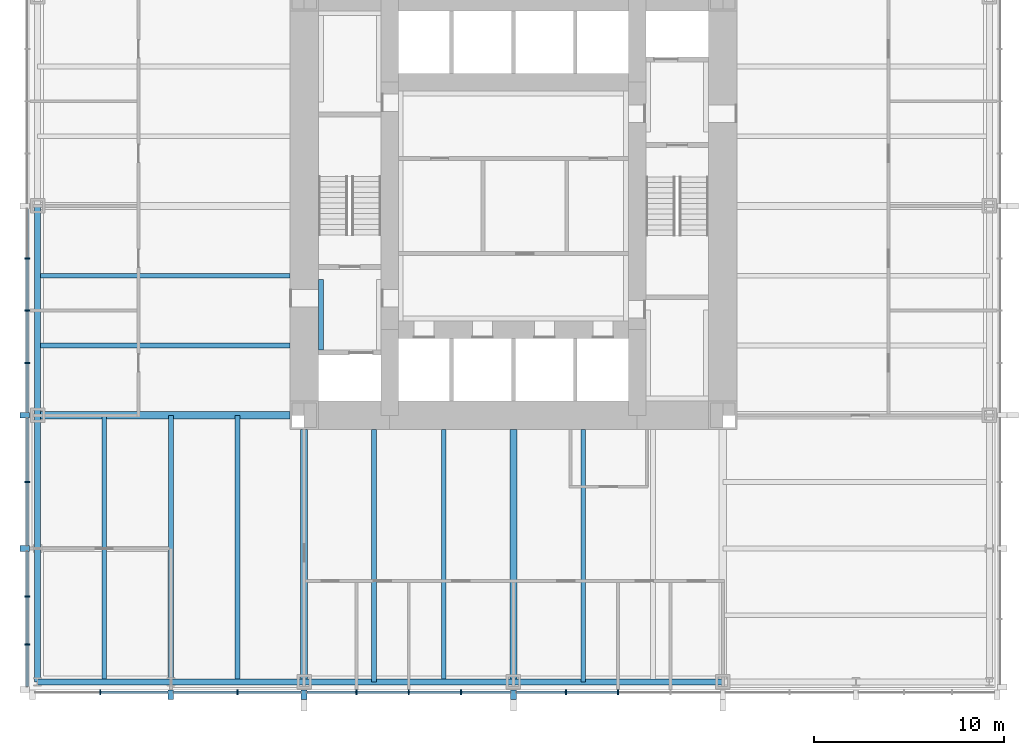
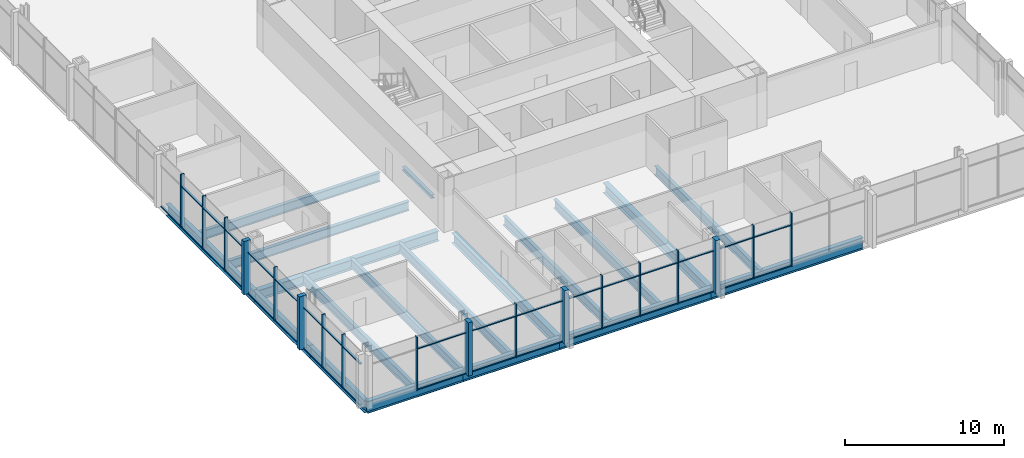
# One storey, part 2 of 12: 53 members, 19 beams, 2 elements without a shape of their own.
"""IFC4 building model written with IfcOpenShell, lengths in metres."""

from ifc_helpers import new_model, si_unit, direction, frame, origin, origin_2d, place, context, subcontext, project, spatial, rectangle, i_section, extrude, material, material_profile, profile_set, type_object, element, aggregate, save


model = new_model("IFC4")

# Units and contexts
model_context = context("Model", 3, precision=1e-05, world=origin(), true_north=direction((0.0, 1.0)))
body_context = subcontext(model_context, "Body", "Model", "MODEL_VIEW")
ifc_project = project(units=[si_unit("LENGTHUNIT", "METRE"), si_unit("AREAUNIT", "SQUARE_METRE"), si_unit("VOLUMEUNIT", "CUBIC_METRE"), si_unit("PLANEANGLEUNIT", "RADIAN"), si_unit("MASSUNIT", "GRAM", prefix="KILO")], contexts=[model_context])

# Site, building, storey
site_placement = place(None, origin())
site = spatial("IfcSite", under=ifc_project, at=site_placement, CompositionType="ELEMENT")
building_placement = place(site_placement, origin())
building = spatial("IfcBuilding", under=site, at=building_placement, Name="Trevanion Tower", CompositionType="ELEMENT")
storey_placement = place(building_placement, frame((0.0, 0.0, 73.39990234375)))
storey = spatial("IfcBuildingStorey", under=building, at=storey_placement, Name="L17", CompositionType="ELEMENT", Elevation=73.39990234375)

# Beams
ifc_material_1 = material(Name="Steel ASTM A992 Grade 50", Category="steel")
ifc_material_profile_1 = material_profile(ifc_material_1, i_section(OverallWidth=0.25390625, OverallDepth=0.700927734375, WebThickness=0.015380859375, FlangeThickness=0.02783203125, at=origin_2d()), Name="W27X129")
ifc_profile_set_1 = profile_set([ifc_material_profile_1], Name="Steel ASTM A992 Grade 50")
beam_type_1 = type_object("IfcBeamType", Name="B3 W27X129", PredefinedType="BEAM", material=ifc_profile_set_1)
for number, where, z_axis, x_axis, name in (
    (1, (-11.75, -3.666748046875, -0.540283203125), (-1.0, 0.0, 0.0), (0.0, -1.0, 0.0), "B3 L17"),
    (2, (-11.75, -7.333251953125, -0.540283203125), (-1.0, 0.0, 0.0), (0.0, -1.0, 0.0), "B3 L17"),
    (3, (-7.333251953125, -11.75, -0.540283203125), (0.0, -1.0, 0.0), (1.0, 0.0, 0.0), "B3 L17"),
    (4, (-3.666748046875, -11.75, -0.540283203125), (0.0, -1.0, 0.0), (1.0, 0.0, 0.0), "B3 L17"),
    (5, (3.666748046875, -11.75, -0.540283203125), (0.0, -1.0, 0.0), (1.0, 0.0, 0.0), "B3 L17"),
):
    element("IfcBeam", number, at=place(storey_placement, frame(where, z_axis=z_axis, x_axis=x_axis)), inside=storey, type_object=beam_type_1, Name=name, PredefinedType="BEAM", context=body_context, shape_type="SweptSolid", body=[
        extrude(i_section(OverallWidth=0.25390625, OverallDepth=0.700927734375, WebThickness=0.015380859375, FlangeThickness=0.02783203125, at=origin_2d()), origin(), (0.0, 0.0, 1.0), 13.25),
    ])
ifc_material_2 = material(Name="Steel ASTM A992 Grade 50", Category="steel")
ifc_material_profile_2 = material_profile(ifc_material_2, i_section(OverallWidth=0.256591796875, OverallDepth=0.693359375, WebThickness=0.014404296875, FlangeThickness=0.023681640625, at=origin_2d()), Name="W27X114")
ifc_profile_set_2 = profile_set([ifc_material_profile_2], Name="Steel ASTM A992 Grade 50")
beam_type_2 = type_object("IfcBeamType", Name="B4 W27X114", PredefinedType="BEAM", material=ifc_profile_set_2)
for number, where, z_axis, x_axis, name in (
    (6, (-14.5, -11.0, -0.53662109375), (0.0, -1.0, 0.0), (1.0, 0.0, 0.0), "B4 L17"),
    (7, (-18.0, -11.0, -0.53662109375), (0.0, -1.0, 0.0), (1.0, 0.0, 0.0), "B4 L17"),
    (8, (-21.5, -11.0, -0.53662109375), (0.0, -1.0, 0.0), (1.0, 0.0, 0.0), "B4 L17"),
):
    element("IfcBeam", number, at=place(storey_placement, frame(where, z_axis=z_axis, x_axis=x_axis)), inside=storey, type_object=beam_type_2, Name=name, PredefinedType="BEAM", context=body_context, shape_type="SweptSolid", body=[
        extrude(i_section(OverallWidth=0.256591796875, OverallDepth=0.693359375, WebThickness=0.014404296875, FlangeThickness=0.023681640625, at=origin_2d()), origin(), (0.0, 0.0, 1.0), 14.0),
    ])

# Curtain wall, members
ifc_material_3 = material(Name="Aluminium and glass", Category="aluminium")
curtain_wall_type = type_object("IfcCurtainWallType", Name="CW1 curtain wall", PredefinedType="USERDEFINED", material=ifc_material_3)
curtain_wall_1_placement = place(storey_placement, origin())
curtain_wall_1 = element("IfcCurtainWall", 9, at=curtain_wall_1_placement, inside=storey, type_object=curtain_wall_type, Name="CW1 L17 2", ObjectType="UNITISED CURTAIN WALL", PredefinedType="USERDEFINED")
ifc_material_4 = material(Name="Aluminium extrusion, anodised bronze", Category="aluminium")
ifc_material_profile_3 = material_profile(ifc_material_4, rectangle(XDim=0.074951171875, YDim=0.25, at=origin_2d()), Name="CW1 mullion")
ifc_profile_set_3 = profile_set([ifc_material_profile_3], Name="Aluminium extrusion, anodised bronze")
member_type_1 = type_object("IfcMemberType", Name="CW1 mullion", PredefinedType="MULLION", material=ifc_profile_set_3)
member_1_placement = place(storey_placement, frame((-25.550048828125, -2.75, -0.18994140625), z_axis=(0.0, 0.0, 1.0), x_axis=(0.0, -1.0, 0.0)))
member_1 = element("IfcMember", 10, at=member_1_placement, type_object=member_type_1, Name="CW1 mullion 10", PredefinedType="MULLION", context=body_context, shape_type="SweptSolid", body=[
    extrude(rectangle(XDim=0.074951171875, YDim=0.25, at=origin_2d()), origin(), (0.0, 0.0, 1.0), 4.10009765625),
])
member_2_placement = place(storey_placement, frame((-25.550048828125, -5.5, -0.18994140625), z_axis=(0.0, 0.0, 1.0), x_axis=(0.0, -1.0, 0.0)))
member_2 = element("IfcMember", 11, at=member_2_placement, type_object=member_type_1, Name="CW1 mullion 11", PredefinedType="MULLION", context=body_context, shape_type="SweptSolid", body=[
    extrude(rectangle(XDim=0.074951171875, YDim=0.25, at=origin_2d()), origin(), (0.0, 0.0, 1.0), 4.10009765625),
])
member_3_placement = place(storey_placement, frame((-25.550048828125, -8.25, -0.18994140625), z_axis=(0.0, 0.0, 1.0), x_axis=(0.0, -1.0, 0.0)))
member_3 = element("IfcMember", 12, at=member_3_placement, type_object=member_type_1, Name="CW1 mullion 12", PredefinedType="MULLION", context=body_context, shape_type="SweptSolid", body=[
    extrude(rectangle(XDim=0.074951171875, YDim=0.25, at=origin_2d()), origin(), (0.0, 0.0, 1.0), 4.10009765625),
])
member_4_placement = place(storey_placement, frame((-25.550048828125, -14.5, -0.18994140625), z_axis=(0.0, 0.0, 1.0), x_axis=(0.0, -1.0, 0.0)))
member_4 = element("IfcMember", 13, at=member_4_placement, type_object=member_type_1, Name="CW1 mullion 14", PredefinedType="MULLION", context=body_context, shape_type="SweptSolid", body=[
    extrude(rectangle(XDim=0.074951171875, YDim=0.25, at=origin_2d()), origin(), (0.0, 0.0, 1.0), 4.10009765625),
])
member_5_placement = place(storey_placement, frame((-25.550048828125, -20.5166015625, -0.18994140625), z_axis=(0.0, 0.0, 1.0), x_axis=(0.0, -1.0, 0.0)))
member_5 = element("IfcMember", 14, at=member_5_placement, type_object=member_type_1, Name="CW1 mullion 16", PredefinedType="MULLION", context=body_context, shape_type="SweptSolid", body=[
    extrude(rectangle(XDim=0.074951171875, YDim=0.25, at=origin_2d()), origin(), (0.0, 0.0, 1.0), 4.10009765625),
])
member_6_placement = place(storey_placement, frame((-25.550048828125, -23.033203125, -0.18994140625), z_axis=(0.0, 0.0, 1.0), x_axis=(0.0, -1.0, 0.0)))
member_6 = element("IfcMember", 15, at=member_6_placement, type_object=member_type_1, Name="CW1 mullion 17", PredefinedType="MULLION", context=body_context, shape_type="SweptSolid", body=[
    extrude(rectangle(XDim=0.074951171875, YDim=0.25, at=origin_2d()), origin(), (0.0, 0.0, 1.0), 4.10009765625),
])

curtain_wall_2_placement = place(storey_placement, origin())
curtain_wall_2 = element("IfcCurtainWall", 16, at=curtain_wall_2_placement, inside=storey, type_object=curtain_wall_type, Name="CW1 L17 3", ObjectType="UNITISED CURTAIN WALL", PredefinedType="USERDEFINED")
member_7_placement = place(storey_placement, frame((-21.7099609375, -25.550048828125, -0.18994140625), z_axis=(0.0, 0.0, 1.0), x_axis=(1.0, 0.0, 0.0)))
member_7 = element("IfcMember", 17, at=member_7_placement, type_object=member_type_1, Name="CW1 mullion 2", PredefinedType="MULLION", context=body_context, shape_type="SweptSolid", body=[
    extrude(rectangle(XDim=0.074951171875, YDim=0.25, at=origin_2d()), origin(), (0.0, 0.0, 1.0), 4.10009765625),
])
member_8_placement = place(storey_placement, frame((-14.5, -25.550048828125, -0.18994140625), z_axis=(0.0, 0.0, 1.0), x_axis=(1.0, 0.0, 0.0)))
member_8 = element("IfcMember", 18, at=member_8_placement, type_object=member_type_1, Name="CW1 mullion 4", PredefinedType="MULLION", context=body_context, shape_type="SweptSolid", body=[
    extrude(rectangle(XDim=0.074951171875, YDim=0.25, at=origin_2d()), origin(), (0.0, 0.0, 1.0), 4.10009765625),
])
member_9_placement = place(storey_placement, frame((-8.25, -25.550048828125, -0.18994140625), z_axis=(0.0, 0.0, 1.0), x_axis=(1.0, 0.0, 0.0)))
member_9 = element("IfcMember", 19, at=member_9_placement, type_object=member_type_1, Name="CW1 mullion 6", PredefinedType="MULLION", context=body_context, shape_type="SweptSolid", body=[
    extrude(rectangle(XDim=0.074951171875, YDim=0.25, at=origin_2d()), origin(), (0.0, 0.0, 1.0), 4.10009765625),
])
member_10_placement = place(storey_placement, frame((-5.5, -25.550048828125, -0.18994140625), z_axis=(0.0, 0.0, 1.0), x_axis=(1.0, 0.0, 0.0)))
member_10 = element("IfcMember", 20, at=member_10_placement, type_object=member_type_1, Name="CW1 mullion 7", PredefinedType="MULLION", context=body_context, shape_type="SweptSolid", body=[
    extrude(rectangle(XDim=0.074951171875, YDim=0.25, at=origin_2d()), origin(), (0.0, 0.0, 1.0), 4.10009765625),
])
member_11_placement = place(storey_placement, frame((-2.75, -25.550048828125, -0.18994140625), z_axis=(0.0, 0.0, 1.0), x_axis=(1.0, 0.0, 0.0)))
member_11 = element("IfcMember", 21, at=member_11_placement, type_object=member_type_1, Name="CW1 mullion 8", PredefinedType="MULLION", context=body_context, shape_type="SweptSolid", body=[
    extrude(rectangle(XDim=0.074951171875, YDim=0.25, at=origin_2d()), origin(), (0.0, 0.0, 1.0), 4.10009765625),
])
member_12_placement = place(storey_placement, frame((2.75, -25.550048828125, -0.18994140625), z_axis=(0.0, 0.0, 1.0), x_axis=(1.0, 0.0, 0.0)))
member_12 = element("IfcMember", 22, at=member_12_placement, type_object=member_type_1, Name="CW1 mullion 10", PredefinedType="MULLION", context=body_context, shape_type="SweptSolid", body=[
    extrude(rectangle(XDim=0.074951171875, YDim=0.25, at=origin_2d()), origin(), (0.0, 0.0, 1.0), 4.10009765625),
])
member_13_placement = place(storey_placement, frame((5.5, -25.550048828125, -0.18994140625), z_axis=(0.0, 0.0, 1.0), x_axis=(1.0, 0.0, 0.0)))
member_13 = element("IfcMember", 23, at=member_13_placement, type_object=member_type_1, Name="CW1 mullion 11", PredefinedType="MULLION", context=body_context, shape_type="SweptSolid", body=[
    extrude(rectangle(XDim=0.074951171875, YDim=0.25, at=origin_2d()), origin(), (0.0, 0.0, 1.0), 4.10009765625),
])

# Member
ifc_material_5 = material(Name="Aluminium extrusion, anodised bronze", Category="aluminium")
ifc_material_profile_4 = material_profile(ifc_material_5, rectangle(XDim=0.300048828125, YDim=0.5, at=origin_2d()), Name="CW1 pier mullion")
ifc_profile_set_4 = profile_set([ifc_material_profile_4], Name="Aluminium extrusion, anodised bronze")
member_type_2 = type_object("IfcMemberType", Name="CW1 pier mullion", PredefinedType="MULLION", material=ifc_profile_set_4)
member_14_placement = place(storey_placement, frame((-25.675048828125, -11.0, -0.18994140625), z_axis=(0.0, 0.0, 1.0), x_axis=(0.0, -1.0, 0.0)))
member_14 = element("IfcMember", 24, at=member_14_placement, type_object=member_type_2, Name="CW1 pier mullion 13", PredefinedType="MULLION", context=body_context, shape_type="SweptSolid", body=[
    extrude(rectangle(XDim=0.300048828125, YDim=0.5, at=origin_2d()), origin(), (0.0, 0.0, 1.0), 4.10009765625),
])

member_15_placement = place(storey_placement, frame((-25.675048828125, -18.0, -0.18994140625), z_axis=(0.0, 0.0, 1.0), x_axis=(0.0, -1.0, 0.0)))
member_15 = element("IfcMember", 25, at=member_15_placement, type_object=member_type_2, Name="CW1 pier mullion 15", PredefinedType="MULLION", context=body_context, shape_type="SweptSolid", body=[
    extrude(rectangle(XDim=0.300048828125, YDim=0.5, at=origin_2d()), origin(), (0.0, 0.0, 1.0), 4.10009765625),
])

member_16_placement = place(storey_placement, frame((-18.0, -25.675048828125, -0.18994140625), z_axis=(0.0, 0.0, 1.0), x_axis=(1.0, 0.0, 0.0)))
member_16 = element("IfcMember", 26, at=member_16_placement, type_object=member_type_2, Name="CW1 pier mullion 3", PredefinedType="MULLION", context=body_context, shape_type="SweptSolid", body=[
    extrude(rectangle(XDim=0.300048828125, YDim=0.5, at=origin_2d()), origin(), (0.0, 0.0, 1.0), 4.10009765625),
])

member_17_placement = place(storey_placement, frame((-11.0, -25.675048828125, -0.18994140625), z_axis=(0.0, 0.0, 1.0), x_axis=(1.0, 0.0, 0.0)))
member_17 = element("IfcMember", 27, at=member_17_placement, type_object=member_type_2, Name="CW1 pier mullion 5", PredefinedType="MULLION", context=body_context, shape_type="SweptSolid", body=[
    extrude(rectangle(XDim=0.300048828125, YDim=0.5, at=origin_2d()), origin(), (0.0, 0.0, 1.0), 4.10009765625),
])

member_18_placement = place(storey_placement, frame((0.0, -25.675048828125, -0.18994140625), z_axis=(0.0, 0.0, 1.0), x_axis=(1.0, 0.0, 0.0)))
member_18 = element("IfcMember", 28, at=member_18_placement, type_object=member_type_2, Name="CW1 pier mullion 9", PredefinedType="MULLION", context=body_context, shape_type="SweptSolid", body=[
    extrude(rectangle(XDim=0.300048828125, YDim=0.5, at=origin_2d()), origin(), (0.0, 0.0, 1.0), 4.10009765625),
])

ifc_material_6 = material(Name="Aluminium extrusion, anodised bronze", Category="aluminium")
ifc_material_profile_5 = material_profile(ifc_material_6, rectangle(XDim=0.14990234375, YDim=0.074951171875, at=origin_2d()), Name="CW1 transom")
ifc_profile_set_5 = profile_set([ifc_material_profile_5], Name="Aluminium extrusion, anodised bronze")
member_type_3 = type_object("IfcMemberType", Name="CW1 transom", PredefinedType="USERDEFINED", material=ifc_profile_set_5)
member_19_placement = place(storey_placement, frame((-25.550048828125, -0.14990234375, -0.15234375), z_axis=(0.0, -1.0, 0.0), x_axis=(1.0, 0.0, 0.0)))
member_19 = element("IfcMember", 29, at=member_19_placement, type_object=member_type_3, Name="CW1 transom 9.1", ObjectType="TRANSOM", PredefinedType="USERDEFINED", context=body_context, shape_type="SweptSolid", body=[
    extrude(rectangle(XDim=0.14990234375, YDim=0.074951171875, at=origin_2d()), origin(), (0.0, 0.0, 1.0), 2.5625),
])

member_20_placement = place(storey_placement, frame((-25.550048828125, -2.78759765625, -0.15234375), z_axis=(0.0, -1.0, 0.0), x_axis=(1.0, 0.0, 0.0)))
member_20 = element("IfcMember", 30, at=member_20_placement, type_object=member_type_3, Name="CW1 transom 10.1", ObjectType="TRANSOM", PredefinedType="USERDEFINED", context=body_context, shape_type="SweptSolid", body=[
    extrude(rectangle(XDim=0.14990234375, YDim=0.074951171875, at=origin_2d()), origin(), (0.0, 0.0, 1.0), 2.6748046875),
])

member_21_placement = place(storey_placement, frame((-25.550048828125, -2.78759765625, 2.960205078125), z_axis=(0.0, -1.0, 0.0), x_axis=(1.0, 0.0, 0.0)))
member_21 = element("IfcMember", 31, at=member_21_placement, type_object=member_type_3, Name="CW1 transom 10.2", ObjectType="TRANSOM", PredefinedType="USERDEFINED", context=body_context, shape_type="SweptSolid", body=[
    extrude(rectangle(XDim=0.14990234375, YDim=0.074951171875, at=origin_2d()), origin(), (0.0, 0.0, 1.0), 2.6748046875),
])

member_22_placement = place(storey_placement, frame((-25.550048828125, -5.53759765625, -0.15234375), z_axis=(0.0, -1.0, 0.0), x_axis=(1.0, 0.0, 0.0)))
member_22 = element("IfcMember", 32, at=member_22_placement, type_object=member_type_3, Name="CW1 transom 11.1", ObjectType="TRANSOM", PredefinedType="USERDEFINED", context=body_context, shape_type="SweptSolid", body=[
    extrude(rectangle(XDim=0.14990234375, YDim=0.074951171875, at=origin_2d()), origin(), (0.0, 0.0, 1.0), 2.6748046875),
])

member_23_placement = place(storey_placement, frame((-25.550048828125, -5.53759765625, 2.960205078125), z_axis=(0.0, -1.0, 0.0), x_axis=(1.0, 0.0, 0.0)))
member_23 = element("IfcMember", 33, at=member_23_placement, type_object=member_type_3, Name="CW1 transom 11.2", ObjectType="TRANSOM", PredefinedType="USERDEFINED", context=body_context, shape_type="SweptSolid", body=[
    extrude(rectangle(XDim=0.14990234375, YDim=0.074951171875, at=origin_2d()), origin(), (0.0, 0.0, 1.0), 2.6748046875),
])

member_24_placement = place(storey_placement, frame((-25.550048828125, -8.28759765625, -0.15234375), z_axis=(0.0, -1.0, 0.0), x_axis=(1.0, 0.0, 0.0)))
member_24 = element("IfcMember", 34, at=member_24_placement, type_object=member_type_3, Name="CW1 transom 12.1", ObjectType="TRANSOM", PredefinedType="USERDEFINED", context=body_context, shape_type="SweptSolid", body=[
    extrude(rectangle(XDim=0.14990234375, YDim=0.074951171875, at=origin_2d()), origin(), (0.0, 0.0, 1.0), 2.5625),
])

member_25_placement = place(storey_placement, frame((-25.550048828125, -8.28759765625, 2.960205078125), z_axis=(0.0, -1.0, 0.0), x_axis=(1.0, 0.0, 0.0)))
member_25 = element("IfcMember", 35, at=member_25_placement, type_object=member_type_3, Name="CW1 transom 12.2", ObjectType="TRANSOM", PredefinedType="USERDEFINED", context=body_context, shape_type="SweptSolid", body=[
    extrude(rectangle(XDim=0.14990234375, YDim=0.074951171875, at=origin_2d()), origin(), (0.0, 0.0, 1.0), 2.5625),
])

member_26_placement = place(storey_placement, frame((-25.550048828125, -11.14990234375, -0.15234375), z_axis=(0.0, -1.0, 0.0), x_axis=(1.0, 0.0, 0.0)))
member_26 = element("IfcMember", 36, at=member_26_placement, type_object=member_type_3, Name="CW1 transom 13.1", ObjectType="TRANSOM", PredefinedType="USERDEFINED", context=body_context, shape_type="SweptSolid", body=[
    extrude(rectangle(XDim=0.14990234375, YDim=0.074951171875, at=origin_2d()), origin(), (0.0, 0.0, 1.0), 3.3125),
])

member_27_placement = place(storey_placement, frame((-25.550048828125, -11.14990234375, 2.960205078125), z_axis=(0.0, -1.0, 0.0), x_axis=(1.0, 0.0, 0.0)))
member_27 = element("IfcMember", 37, at=member_27_placement, type_object=member_type_3, Name="CW1 transom 13.2", ObjectType="TRANSOM", PredefinedType="USERDEFINED", context=body_context, shape_type="SweptSolid", body=[
    extrude(rectangle(XDim=0.14990234375, YDim=0.074951171875, at=origin_2d()), origin(), (0.0, 0.0, 1.0), 3.3125),
])

member_28_placement = place(storey_placement, frame((-25.550048828125, -14.53759765625, -0.15234375), z_axis=(0.0, -1.0, 0.0), x_axis=(1.0, 0.0, 0.0)))
member_28 = element("IfcMember", 38, at=member_28_placement, type_object=member_type_3, Name="CW1 transom 14.1", ObjectType="TRANSOM", PredefinedType="USERDEFINED", context=body_context, shape_type="SweptSolid", body=[
    extrude(rectangle(XDim=0.14990234375, YDim=0.074951171875, at=origin_2d()), origin(), (0.0, 0.0, 1.0), 3.3125),
])

member_29_placement = place(storey_placement, frame((-25.550048828125, -14.53759765625, 2.960205078125), z_axis=(0.0, -1.0, 0.0), x_axis=(1.0, 0.0, 0.0)))
member_29 = element("IfcMember", 39, at=member_29_placement, type_object=member_type_3, Name="CW1 transom 14.2", ObjectType="TRANSOM", PredefinedType="USERDEFINED", context=body_context, shape_type="SweptSolid", body=[
    extrude(rectangle(XDim=0.14990234375, YDim=0.074951171875, at=origin_2d()), origin(), (0.0, 0.0, 1.0), 3.3125),
])

member_30_placement = place(storey_placement, frame((-25.550048828125, -18.14990234375, -0.15234375), z_axis=(0.0, -1.0, 0.0), x_axis=(1.0, 0.0, 0.0)))
member_30 = element("IfcMember", 40, at=member_30_placement, type_object=member_type_3, Name="CW1 transom 15.1", ObjectType="TRANSOM", PredefinedType="USERDEFINED", context=body_context, shape_type="SweptSolid", body=[
    extrude(rectangle(XDim=0.14990234375, YDim=0.074951171875, at=origin_2d()), origin(), (0.0, 0.0, 1.0), 2.329345703125),
])

member_31_placement = place(storey_placement, frame((-25.550048828125, -18.14990234375, 2.960205078125), z_axis=(0.0, -1.0, 0.0), x_axis=(1.0, 0.0, 0.0)))
member_31 = element("IfcMember", 41, at=member_31_placement, type_object=member_type_3, Name="CW1 transom 15.2", ObjectType="TRANSOM", PredefinedType="USERDEFINED", context=body_context, shape_type="SweptSolid", body=[
    extrude(rectangle(XDim=0.14990234375, YDim=0.074951171875, at=origin_2d()), origin(), (0.0, 0.0, 1.0), 2.329345703125),
])

member_32_placement = place(storey_placement, frame((-25.550048828125, -20.55419921875, -0.15234375), z_axis=(0.0, -1.0, 0.0), x_axis=(1.0, 0.0, 0.0)))
member_32 = element("IfcMember", 42, at=member_32_placement, type_object=member_type_3, Name="CW1 transom 16.1", ObjectType="TRANSOM", PredefinedType="USERDEFINED", context=body_context, shape_type="SweptSolid", body=[
    extrude(rectangle(XDim=0.14990234375, YDim=0.074951171875, at=origin_2d()), origin(), (0.0, 0.0, 1.0), 2.441650390625),
])

member_33_placement = place(storey_placement, frame((-25.550048828125, -20.55419921875, 2.960205078125), z_axis=(0.0, -1.0, 0.0), x_axis=(1.0, 0.0, 0.0)))
member_33 = element("IfcMember", 43, at=member_33_placement, type_object=member_type_3, Name="CW1 transom 16.2", ObjectType="TRANSOM", PredefinedType="USERDEFINED", context=body_context, shape_type="SweptSolid", body=[
    extrude(rectangle(XDim=0.14990234375, YDim=0.074951171875, at=origin_2d()), origin(), (0.0, 0.0, 1.0), 2.441650390625),
])

member_34_placement = place(storey_placement, frame((-25.550048828125, -23.07080078125, -0.15234375), z_axis=(0.0, -1.0, 0.0), x_axis=(1.0, 0.0, 0.0)))
member_34 = element("IfcMember", 44, at=member_34_placement, type_object=member_type_3, Name="CW1 transom 17.1", ObjectType="TRANSOM", PredefinedType="USERDEFINED", context=body_context, shape_type="SweptSolid", body=[
    extrude(rectangle(XDim=0.14990234375, YDim=0.074951171875, at=origin_2d()), origin(), (0.0, 0.0, 1.0), 2.17919921875),
])

member_35_placement = place(storey_placement, frame((-25.550048828125, -23.07080078125, 2.960205078125), z_axis=(0.0, -1.0, 0.0), x_axis=(1.0, 0.0, 0.0)))
member_35 = element("IfcMember", 45, at=member_35_placement, type_object=member_type_3, Name="CW1 transom 17.2", ObjectType="TRANSOM", PredefinedType="USERDEFINED", context=body_context, shape_type="SweptSolid", body=[
    extrude(rectangle(XDim=0.14990234375, YDim=0.074951171875, at=origin_2d()), origin(), (0.0, 0.0, 1.0), 2.17919921875),
])

aggregate(curtain_wall_1, [member_1, member_2, member_3, member_14, member_4, member_15, member_5, member_6, member_19, member_20, member_21, member_22, member_23, member_24, member_25, member_26, member_27, member_28, member_29, member_30, member_31, member_32, member_33, member_34, member_35])

member_36_placement = place(storey_placement, frame((-21.672607421875, -25.550048828125, -0.15234375), z_axis=(1.0, 0.0, 0.0), x_axis=(0.0, 1.0, 0.0)))
member_36 = element("IfcMember", 46, at=member_36_placement, type_object=member_type_3, Name="CW1 transom 2.1", ObjectType="TRANSOM", PredefinedType="USERDEFINED", context=body_context, shape_type="SweptSolid", body=[
    extrude(rectangle(XDim=0.14990234375, YDim=0.074951171875, at=origin_2d()), origin(), (0.0, 0.0, 1.0), 3.522705078125),
])

member_37_placement = place(storey_placement, frame((-21.672607421875, -25.550048828125, 2.960205078125), z_axis=(1.0, 0.0, 0.0), x_axis=(0.0, 1.0, 0.0)))
member_37 = element("IfcMember", 47, at=member_37_placement, type_object=member_type_3, Name="CW1 transom 2.2", ObjectType="TRANSOM", PredefinedType="USERDEFINED", context=body_context, shape_type="SweptSolid", body=[
    extrude(rectangle(XDim=0.14990234375, YDim=0.074951171875, at=origin_2d()), origin(), (0.0, 0.0, 1.0), 3.522705078125),
])

member_38_placement = place(storey_placement, frame((-17.85009765625, -25.550048828125, -0.15234375), z_axis=(1.0, 0.0, 0.0), x_axis=(0.0, 1.0, 0.0)))
member_38 = element("IfcMember", 48, at=member_38_placement, type_object=member_type_3, Name="CW1 transom 3.1", ObjectType="TRANSOM", PredefinedType="USERDEFINED", context=body_context, shape_type="SweptSolid", body=[
    extrude(rectangle(XDim=0.14990234375, YDim=0.074951171875, at=origin_2d()), origin(), (0.0, 0.0, 1.0), 3.3125),
])

member_39_placement = place(storey_placement, frame((-17.85009765625, -25.550048828125, 2.960205078125), z_axis=(1.0, 0.0, 0.0), x_axis=(0.0, 1.0, 0.0)))
member_39 = element("IfcMember", 49, at=member_39_placement, type_object=member_type_3, Name="CW1 transom 3.2", ObjectType="TRANSOM", PredefinedType="USERDEFINED", context=body_context, shape_type="SweptSolid", body=[
    extrude(rectangle(XDim=0.14990234375, YDim=0.074951171875, at=origin_2d()), origin(), (0.0, 0.0, 1.0), 3.3125),
])

member_40_placement = place(storey_placement, frame((-14.46240234375, -25.550048828125, -0.15234375), z_axis=(1.0, 0.0, 0.0), x_axis=(0.0, 1.0, 0.0)))
member_40 = element("IfcMember", 50, at=member_40_placement, type_object=member_type_3, Name="CW1 transom 4.1", ObjectType="TRANSOM", PredefinedType="USERDEFINED", context=body_context, shape_type="SweptSolid", body=[
    extrude(rectangle(XDim=0.14990234375, YDim=0.074951171875, at=origin_2d()), origin(), (0.0, 0.0, 1.0), 3.3125),
])

member_41_placement = place(storey_placement, frame((-14.46240234375, -25.550048828125, 2.960205078125), z_axis=(1.0, 0.0, 0.0), x_axis=(0.0, 1.0, 0.0)))
member_41 = element("IfcMember", 51, at=member_41_placement, type_object=member_type_3, Name="CW1 transom 4.2", ObjectType="TRANSOM", PredefinedType="USERDEFINED", context=body_context, shape_type="SweptSolid", body=[
    extrude(rectangle(XDim=0.14990234375, YDim=0.074951171875, at=origin_2d()), origin(), (0.0, 0.0, 1.0), 3.3125),
])

member_42_placement = place(storey_placement, frame((-10.85009765625, -25.550048828125, -0.15234375), z_axis=(1.0, 0.0, 0.0), x_axis=(0.0, 1.0, 0.0)))
member_42 = element("IfcMember", 52, at=member_42_placement, type_object=member_type_3, Name="CW1 transom 5.1", ObjectType="TRANSOM", PredefinedType="USERDEFINED", context=body_context, shape_type="SweptSolid", body=[
    extrude(rectangle(XDim=0.14990234375, YDim=0.074951171875, at=origin_2d()), origin(), (0.0, 0.0, 1.0), 2.5625),
])

member_43_placement = place(storey_placement, frame((-10.85009765625, -25.550048828125, 2.960205078125), z_axis=(1.0, 0.0, 0.0), x_axis=(0.0, 1.0, 0.0)))
member_43 = element("IfcMember", 53, at=member_43_placement, type_object=member_type_3, Name="CW1 transom 5.2", ObjectType="TRANSOM", PredefinedType="USERDEFINED", context=body_context, shape_type="SweptSolid", body=[
    extrude(rectangle(XDim=0.14990234375, YDim=0.074951171875, at=origin_2d()), origin(), (0.0, 0.0, 1.0), 2.5625),
])

member_44_placement = place(storey_placement, frame((-8.21240234375, -25.550048828125, -0.15234375), z_axis=(1.0, 0.0, 0.0), x_axis=(0.0, 1.0, 0.0)))
member_44 = element("IfcMember", 54, at=member_44_placement, type_object=member_type_3, Name="CW1 transom 6.1", ObjectType="TRANSOM", PredefinedType="USERDEFINED", context=body_context, shape_type="SweptSolid", body=[
    extrude(rectangle(XDim=0.14990234375, YDim=0.074951171875, at=origin_2d()), origin(), (0.0, 0.0, 1.0), 2.6748046875),
])

member_45_placement = place(storey_placement, frame((-8.21240234375, -25.550048828125, 2.960205078125), z_axis=(1.0, 0.0, 0.0), x_axis=(0.0, 1.0, 0.0)))
member_45 = element("IfcMember", 55, at=member_45_placement, type_object=member_type_3, Name="CW1 transom 6.2", ObjectType="TRANSOM", PredefinedType="USERDEFINED", context=body_context, shape_type="SweptSolid", body=[
    extrude(rectangle(XDim=0.14990234375, YDim=0.074951171875, at=origin_2d()), origin(), (0.0, 0.0, 1.0), 2.6748046875),
])

member_46_placement = place(storey_placement, frame((-5.46240234375, -25.550048828125, -0.15234375), z_axis=(1.0, 0.0, 0.0), x_axis=(0.0, 1.0, 0.0)))
member_46 = element("IfcMember", 56, at=member_46_placement, type_object=member_type_3, Name="CW1 transom 7.1", ObjectType="TRANSOM", PredefinedType="USERDEFINED", context=body_context, shape_type="SweptSolid", body=[
    extrude(rectangle(XDim=0.14990234375, YDim=0.074951171875, at=origin_2d()), origin(), (0.0, 0.0, 1.0), 2.6748046875),
])

member_47_placement = place(storey_placement, frame((-5.46240234375, -25.550048828125, 2.960205078125), z_axis=(1.0, 0.0, 0.0), x_axis=(0.0, 1.0, 0.0)))
member_47 = element("IfcMember", 57, at=member_47_placement, type_object=member_type_3, Name="CW1 transom 7.2", ObjectType="TRANSOM", PredefinedType="USERDEFINED", context=body_context, shape_type="SweptSolid", body=[
    extrude(rectangle(XDim=0.14990234375, YDim=0.074951171875, at=origin_2d()), origin(), (0.0, 0.0, 1.0), 2.6748046875),
])

member_48_placement = place(storey_placement, frame((-2.71240234375, -25.550048828125, -0.15234375), z_axis=(1.0, 0.0, 0.0), x_axis=(0.0, 1.0, 0.0)))
member_48 = element("IfcMember", 58, at=member_48_placement, type_object=member_type_3, Name="CW1 transom 8.1", ObjectType="TRANSOM", PredefinedType="USERDEFINED", context=body_context, shape_type="SweptSolid", body=[
    extrude(rectangle(XDim=0.14990234375, YDim=0.074951171875, at=origin_2d()), origin(), (0.0, 0.0, 1.0), 2.5625),
])

member_49_placement = place(storey_placement, frame((-2.71240234375, -25.550048828125, 2.960205078125), z_axis=(1.0, 0.0, 0.0), x_axis=(0.0, 1.0, 0.0)))
member_49 = element("IfcMember", 59, at=member_49_placement, type_object=member_type_3, Name="CW1 transom 8.2", ObjectType="TRANSOM", PredefinedType="USERDEFINED", context=body_context, shape_type="SweptSolid", body=[
    extrude(rectangle(XDim=0.14990234375, YDim=0.074951171875, at=origin_2d()), origin(), (0.0, 0.0, 1.0), 2.5625),
])

member_50_placement = place(storey_placement, frame((0.14990234375, -25.550048828125, -0.15234375), z_axis=(1.0, 0.0, 0.0), x_axis=(0.0, 1.0, 0.0)))
member_50 = element("IfcMember", 60, at=member_50_placement, type_object=member_type_3, Name="CW1 transom 9.1", ObjectType="TRANSOM", PredefinedType="USERDEFINED", context=body_context, shape_type="SweptSolid", body=[
    extrude(rectangle(XDim=0.14990234375, YDim=0.074951171875, at=origin_2d()), origin(), (0.0, 0.0, 1.0), 2.5625),
])

member_51_placement = place(storey_placement, frame((0.14990234375, -25.550048828125, 2.960205078125), z_axis=(1.0, 0.0, 0.0), x_axis=(0.0, 1.0, 0.0)))
member_51 = element("IfcMember", 61, at=member_51_placement, type_object=member_type_3, Name="CW1 transom 9.2", ObjectType="TRANSOM", PredefinedType="USERDEFINED", context=body_context, shape_type="SweptSolid", body=[
    extrude(rectangle(XDim=0.14990234375, YDim=0.074951171875, at=origin_2d()), origin(), (0.0, 0.0, 1.0), 2.5625),
])

member_52_placement = place(storey_placement, frame((2.78759765625, -25.550048828125, -0.15234375), z_axis=(1.0, 0.0, 0.0), x_axis=(0.0, 1.0, 0.0)))
member_52 = element("IfcMember", 62, at=member_52_placement, type_object=member_type_3, Name="CW1 transom 10.1", ObjectType="TRANSOM", PredefinedType="USERDEFINED", context=body_context, shape_type="SweptSolid", body=[
    extrude(rectangle(XDim=0.14990234375, YDim=0.074951171875, at=origin_2d()), origin(), (0.0, 0.0, 1.0), 2.6748046875),
])

member_53_placement = place(storey_placement, frame((2.78759765625, -25.550048828125, 2.960205078125), z_axis=(1.0, 0.0, 0.0), x_axis=(0.0, 1.0, 0.0)))
member_53 = element("IfcMember", 63, at=member_53_placement, type_object=member_type_3, Name="CW1 transom 10.2", ObjectType="TRANSOM", PredefinedType="USERDEFINED", context=body_context, shape_type="SweptSolid", body=[
    extrude(rectangle(XDim=0.14990234375, YDim=0.074951171875, at=origin_2d()), origin(), (0.0, 0.0, 1.0), 2.6748046875),
])

aggregate(curtain_wall_2, [member_7, member_16, member_8, member_17, member_9, member_10, member_11, member_18, member_12, member_13, member_36, member_37, member_38, member_39, member_40, member_41, member_42, member_43, member_44, member_45, member_46, member_47, member_48, member_49, member_50, member_51, member_52, member_53])

# Beams
ifc_material_7 = material(Name="Steel ASTM A992 Grade 50", Category="steel")
ifc_material_profile_6 = material_profile(ifc_material_7, i_section(OverallWidth=0.381103515625, OverallDepth=0.77978515625, WebThickness=0.01806640625, FlangeThickness=0.0302734375, at=origin_2d()), Name="W30X191")
ifc_profile_set_6 = profile_set([ifc_material_profile_6], Name="Steel ASTM A992 Grade 50")
beam_type_3 = type_object("IfcBeamType", Name="G2 W30X191", PredefinedType="BEAM", material=ifc_profile_set_6)
for number, where, z_axis, x_axis, name in (
    (64, (-11.75, -11.0, -0.579833984375), (-1.0, 0.0, 0.0), (0.0, -1.0, 0.0), "G2 L17"),
    (65, (-11.0, -11.75, -0.579833984375), (0.0, -1.0, 0.0), (1.0, 0.0, 0.0), "G2 L17"),
    (66, (0.0, -11.75, -0.579833984375), (0.0, -1.0, 0.0), (1.0, 0.0, 0.0), "G2 L17"),
):
    element("IfcBeam", number, at=place(storey_placement, frame(where, z_axis=z_axis, x_axis=x_axis)), inside=storey, type_object=beam_type_3, Name=name, PredefinedType="BEAM", context=body_context, shape_type="SweptSolid", body=[
        extrude(i_section(OverallWidth=0.381103515625, OverallDepth=0.77978515625, WebThickness=0.01806640625, FlangeThickness=0.0302734375, at=origin_2d()), origin(), (0.0, 0.0, 1.0), 13.25),
    ])
ifc_material_8 = material(Name="Steel ASTM A992 Grade 50", Category="steel")
ifc_material_profile_7 = material_profile(ifc_material_8, i_section(OverallWidth=0.256591796875, OverallDepth=0.26416015625, WebThickness=0.011962890625, FlangeThickness=0.01953125, at=origin_2d()), Name="W10X68")
ifc_profile_set_7 = profile_set([ifc_material_profile_7], Name="Steel ASTM A992 Grade 50")
beam_type_4 = type_object("IfcBeamType", Name="LB1 W10X68", PredefinedType="BEAM", material=ifc_profile_set_7)
beam_1_placement = place(storey_placement, frame((-10.12158203125, -7.574951171875, -0.33203125), z_axis=(0.0, 1.0, 0.0), x_axis=(-1.0, 0.0, 0.0)))
element("IfcBeam", 67, at=beam_1_placement, inside=storey, type_object=beam_type_4, Name="LB1 L17", PredefinedType="BEAM", context=body_context, shape_type="SweptSolid", body=[
    extrude(i_section(OverallWidth=0.256591796875, OverallDepth=0.26416015625, WebThickness=0.011962890625, FlangeThickness=0.01953125, at=origin_2d()), origin(), (0.0, 0.0, 1.0), 3.699951171875),
])
ifc_material_9 = material(Name="Steel ASTM A992 Grade 50", Category="steel")
ifc_material_profile_8 = material_profile(ifc_material_9, i_section(OverallWidth=0.307373046875, OverallDepth=0.927001953125, WebThickness=0.01953125, FlangeThickness=0.031982421875, at=origin_2d()), Name="W36X194")
ifc_profile_set_8 = profile_set([ifc_material_profile_8], Name="Steel ASTM A992 Grade 50")
beam_type_5 = type_object("IfcBeamType", Name="SB2 W36X194", PredefinedType="SPANDREL", material=ifc_profile_set_8)
beam_2_placement = place(storey_placement, frame((-25.0, 0.0, -0.6533203125), z_axis=(0.0, -1.0, 0.0), x_axis=(1.0, 0.0, 0.0)))
element("IfcBeam", 68, at=beam_2_placement, inside=storey, type_object=beam_type_5, Name="SB2 L17", PredefinedType="SPANDREL", context=body_context, shape_type="SweptSolid", body=[
    extrude(i_section(OverallWidth=0.307373046875, OverallDepth=0.927001953125, WebThickness=0.01953125, FlangeThickness=0.031982421875, at=origin_2d()), origin(), (0.0, 0.0, 1.0), 11.0),
])
for number, where, z_axis, x_axis, name in (
    (69, (-25.0, -11.0, -0.6533203125), (0.0, -1.0, 0.0), (1.0, 0.0, 0.0), "SB2 L17"),
    (70, (-25.0, -18.0, -0.6533203125), (0.0, -1.0, 0.0), (1.0, 0.0, 0.0), "SB2 L17"),
    (71, (-25.0, -25.0, -0.6533203125), (1.0, 0.0, 0.0), (0.0, 1.0, 0.0), "SB2 L17"),
    (72, (-18.0, -25.0, -0.6533203125), (1.0, 0.0, 0.0), (0.0, 1.0, 0.0), "SB2 L17"),
):
    element("IfcBeam", number, at=place(storey_placement, frame(where, z_axis=z_axis, x_axis=x_axis)), inside=storey, type_object=beam_type_5, Name=name, PredefinedType="SPANDREL", context=body_context, shape_type="SweptSolid", body=[
        extrude(i_section(OverallWidth=0.307373046875, OverallDepth=0.927001953125, WebThickness=0.01953125, FlangeThickness=0.031982421875, at=origin_2d()), origin(), (0.0, 0.0, 1.0), 7.0),
    ])
for number, where, z_axis, x_axis, name in (
    (73, (-11.0, -25.0, -0.6533203125), (1.0, 0.0, 0.0), (0.0, 1.0, 0.0), "SB2 L17"),
    (74, (0.0, -25.0, -0.6533203125), (1.0, 0.0, 0.0), (0.0, 1.0, 0.0), "SB2 L17"),
):
    element("IfcBeam", number, at=place(storey_placement, frame(where, z_axis=z_axis, x_axis=x_axis)), inside=storey, type_object=beam_type_5, Name=name, PredefinedType="SPANDREL", context=body_context, shape_type="SweptSolid", body=[
        extrude(i_section(OverallWidth=0.307373046875, OverallDepth=0.927001953125, WebThickness=0.01953125, FlangeThickness=0.031982421875, at=origin_2d()), origin(), (0.0, 0.0, 1.0), 11.0),
    ])

save(model, "model.ifc")
